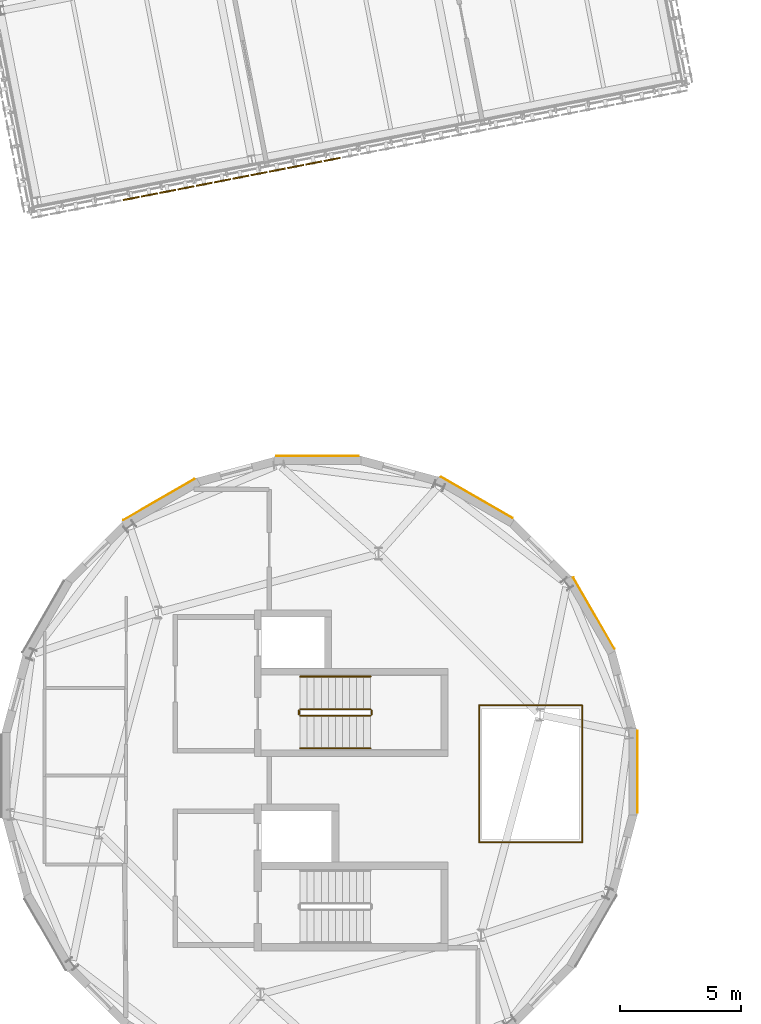
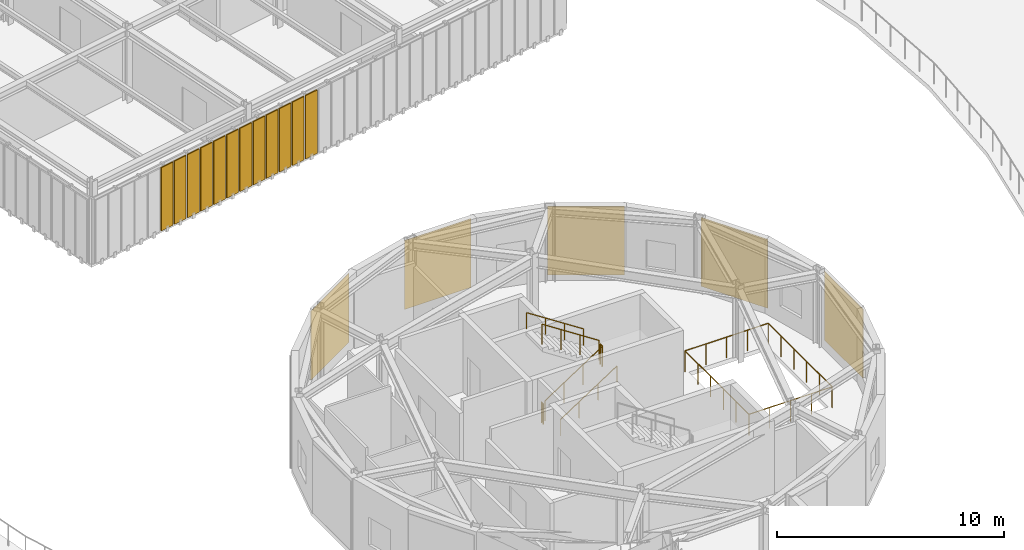
# One storey, part 51 of 59: 12 shading devices, 10 railings, 5 coverings.
"""IFC4 building model written with IfcOpenShell, lengths in metres."""

from ifc_helpers import new_model, si_unit, direction, frame, origin, origin_2d, place, context, subcontext, project, spatial, rectangle, circle, extrude, material, layer, layer_set, type_object, element, save


model = new_model("IFC4")

# Units and contexts
model_context = context("Model", 3, precision=1e-05, world=origin(), true_north=direction((0.0, 1.0)))
body_context = subcontext(model_context, "Body", "Model", "MODEL_VIEW")
ifc_project = project(units=[si_unit("LENGTHUNIT", "METRE"), si_unit("AREAUNIT", "SQUARE_METRE"), si_unit("VOLUMEUNIT", "CUBIC_METRE"), si_unit("PLANEANGLEUNIT", "RADIAN"), si_unit("MASSUNIT", "GRAM", prefix="KILO")], contexts=[model_context])

# Site, building, storey
site_placement = place(None, origin())
site = spatial("IfcSite", under=ifc_project, at=site_placement, CompositionType="ELEMENT")
building_placement = place(site_placement, origin())
building = spatial("IfcBuilding", under=site, at=building_placement, Name="Varnklinge Art Gallery", CompositionType="ELEMENT")
storey_placement = place(building_placement, frame((0.0, 0.0, 9.52001953125)))
storey = spatial("IfcBuildingStorey", under=building, at=storey_placement, Name="L02", CompositionType="ELEMENT", Elevation=9.52001953125)

# Railings
ifc_material_1 = material(Name="Anodised Aluminium", Category="aluminium")
railing_type_1 = type_object("IfcRailingType", Name="BAL-01", PredefinedType="BALUSTRADE", material=ifc_material_1)
railing_1_placement = place(storey_placement, frame((86.320068359375, 35.679931640625, 0.0)))
element("IfcRailing", 1, at=railing_1_placement, inside=storey, type_object=railing_type_1, Name="L02 Atrium Void Balustrade 6.1", PredefinedType="BALUSTRADE", context=body_context, shape_type="SweptSolid", body=[
    extrude(circle(Radius=0.02392578125, at=origin_2d()), frame((0.0, 0.0, 1.11572265625), z_axis=(0.0, 1.0, 0.0), x_axis=(-1.0, 0.0, 0.0)), (0.0, 0.0, 1.0), 5.64013671875),
    extrude(circle(Radius=0.02099609375, at=origin_2d()), origin(), (0.0, 0.0, 1.0), 1.091796875),
    extrude(circle(Radius=0.02099609375, at=origin_2d()), frame((0.0, 1.1279296875, 0.0)), (0.0, 0.0, 1.0), 1.091796875),
    extrude(circle(Radius=0.02099609375, at=origin_2d()), frame((0.0, 2.256103515625, 0.0)), (0.0, 0.0, 1.0), 1.091796875),
    extrude(circle(Radius=0.02099609375, at=origin_2d()), frame((0.0, 3.384033203125, 0.0)), (0.0, 0.0, 1.0), 1.091796875),
    extrude(circle(Radius=0.02099609375, at=origin_2d()), frame((0.0, 4.51220703125, 0.0)), (0.0, 0.0, 1.0), 1.091796875),
    extrude(circle(Radius=0.02099609375, at=origin_2d()), frame((0.0, 5.64013671875, 0.0)), (0.0, 0.0, 1.0), 1.091796875),
])
railing_2_placement = place(storey_placement, frame((86.320068359375, 41.320068359375, 0.0)))
element("IfcRailing", 2, at=railing_2_placement, inside=storey, type_object=railing_type_1, Name="L02 Atrium Void Balustrade 6.2", PredefinedType="BALUSTRADE", context=body_context, shape_type="SweptSolid", body=[
    extrude(circle(Radius=0.02392578125, at=origin_2d()), frame((0.0, 0.0, 1.11572265625), z_axis=(-1.0, 0.0, 0.0), x_axis=(0.0, -1.0, 0.0)), (0.0, 0.0, 1.0), 4.239990234375),
    extrude(circle(Radius=0.02099609375, at=origin_2d()), origin(), (0.0, 0.0, 1.0), 1.091796875),
    extrude(circle(Radius=0.02099609375, at=origin_2d()), frame((-1.06005859375, 0.0, 0.0)), (0.0, 0.0, 1.0), 1.091796875),
    extrude(circle(Radius=0.02099609375, at=origin_2d()), frame((-2.1201171875, 0.0, 0.0)), (0.0, 0.0, 1.0), 1.091796875),
    extrude(circle(Radius=0.02099609375, at=origin_2d()), frame((-3.179931640625, 0.0, 0.0)), (0.0, 0.0, 1.0), 1.091796875),
    extrude(circle(Radius=0.02099609375, at=origin_2d()), frame((-4.239990234375, 0.0, 0.0)), (0.0, 0.0, 1.0), 1.091796875),
])
railing_3_placement = place(storey_placement, frame((82.080078125, 41.320068359375, 0.0)))
element("IfcRailing", 3, at=railing_3_placement, inside=storey, type_object=railing_type_1, Name="L02 Atrium Void Balustrade 6.3", PredefinedType="BALUSTRADE", context=body_context, shape_type="SweptSolid", body=[
    extrude(circle(Radius=0.02392578125, at=origin_2d()), frame((0.0, 0.0, 1.11572265625), z_axis=(0.0, -1.0, 0.0), x_axis=(1.0, 0.0, 0.0)), (0.0, 0.0, 1.0), 5.64013671875),
    extrude(circle(Radius=0.02099609375, at=origin_2d()), origin(), (0.0, 0.0, 1.0), 1.091796875),
    extrude(circle(Radius=0.02099609375, at=origin_2d()), frame((0.0, -1.1279296875, 0.0)), (0.0, 0.0, 1.0), 1.091796875),
    extrude(circle(Radius=0.02099609375, at=origin_2d()), frame((0.0, -2.256103515625, 0.0)), (0.0, 0.0, 1.0), 1.091796875),
    extrude(circle(Radius=0.02099609375, at=origin_2d()), frame((0.0, -3.384033203125, 0.0)), (0.0, 0.0, 1.0), 1.091796875),
    extrude(circle(Radius=0.02099609375, at=origin_2d()), frame((0.0, -4.51220703125, 0.0)), (0.0, 0.0, 1.0), 1.091796875),
    extrude(circle(Radius=0.02099609375, at=origin_2d()), frame((0.0, -5.64013671875, 0.0)), (0.0, 0.0, 1.0), 1.091796875),
])
railing_4_placement = place(storey_placement, frame((82.080078125, 35.679931640625, 0.0)))
element("IfcRailing", 4, at=railing_4_placement, inside=storey, type_object=railing_type_1, Name="L02 Atrium Void Balustrade 6.4", PredefinedType="BALUSTRADE", context=body_context, shape_type="SweptSolid", body=[
    extrude(circle(Radius=0.02392578125, at=origin_2d()), frame((0.0, 0.0, 1.11572265625), z_axis=(1.0, 0.0, 0.0), x_axis=(0.0, 1.0, 0.0)), (0.0, 0.0, 1.0), 4.239990234375),
    extrude(circle(Radius=0.02099609375, at=origin_2d()), origin(), (0.0, 0.0, 1.0), 1.091796875),
    extrude(circle(Radius=0.02099609375, at=origin_2d()), frame((1.06005859375, 0.0, 0.0)), (0.0, 0.0, 1.0), 1.091796875),
    extrude(circle(Radius=0.02099609375, at=origin_2d()), frame((2.1201171875, 0.0, 0.0)), (0.0, 0.0, 1.0), 1.091796875),
    extrude(circle(Radius=0.02099609375, at=origin_2d()), frame((3.179931640625, 0.0, 0.0)), (0.0, 0.0, 1.0), 1.091796875),
    extrude(circle(Radius=0.02099609375, at=origin_2d()), frame((4.239990234375, 0.0, 0.0)), (0.0, 0.0, 1.0), 1.091796875),
])

# Coverings
ifc_material_2 = material(Name="Pre-weathered Zinc", Category="metal")
ifc_layer_1 = layer(ifc_material_2, 0.02490234375)
ifc_layer_set_1 = layer_set([ifc_layer_1], Name="Pre-weathered Zinc")
covering_type = type_object("IfcCoveringType", Name="CLD-ZNC", PredefinedType="CLADDING", material=ifc_layer_set_1)
for number, where, z_axis, x_axis, name in (
    (5, (88.599609375, 38.5849609375, 0.0458984375), (0.0, 0.0, 1.0), (0.0, -1.0, 0.0), "L02 Brushed Zinc Drum Cladding EW-V4D-L02-01"),
    (6, (68.876708984375, 49.802001953125, 0.0458984375), (0.0, 0.0, 1.0), (0.866025403784, 0.5, 0.0), "L02 Brushed Zinc Drum Cladding EW-V4D-L02-16"),
    (7, (75.4150390625, 51.599609375, 0.0458984375), (0.0, 0.0, 1.0), (1.0, 0.0, 0.0), "L02 Brushed Zinc Drum Cladding EW-V4D-L02-18"),
    (8, (81.976318359375, 49.88720703125, 0.0458984375), (0.0, 0.0, 1.0), (0.866025403784, -0.5, 0.0), "L02 Brushed Zinc Drum Cladding EW-V4D-L02-20"),
    (9, (86.802001953125, 45.123291015625, 0.0458984375), (0.0, 0.0, 1.0), (0.5, -0.866025403784, 0.0), "L02 Brushed Zinc Drum Cladding EW-V4D-L02-22"),
):
    element("IfcCovering", number, at=place(storey_placement, frame(where, z_axis=z_axis, x_axis=x_axis)), inside=storey, type_object=covering_type, Name=name, PredefinedType="CLADDING", context=body_context, shape_type="SweptSolid", body=[
        extrude(rectangle(XDim=3.39111328125, YDim=0.02490234375, at=origin_2d()), origin(), (0.0, 0.0, 1.0), 3.7099609375),
    ])

# Railings
ifc_material_3 = material(Name="Steel S355", Category="steel")
railing_type_2 = type_object("IfcRailingType", Name="GR-INT", PredefinedType="GUARDRAIL", material=ifc_material_3)
railing_5_placement = place(storey_placement, frame((74.699951171875, 40.89990234375, 0.18896484375)))
element("IfcRailing", 10, at=railing_5_placement, inside=storey, type_object=railing_type_2, Name="L02 ST-02 stair guard 1", PredefinedType="GUARDRAIL", context=body_context, shape_type="SweptSolid", body=[
    extrude(circle(Radius=0.02392578125, at=origin_2d()), frame((0.0, 0.0, 1.076171875), z_axis=(0.837648470955, 0.0, 0.546209702502), x_axis=(0.0, 1.0, 0.0)), (0.0, 0.0, 1.0), 3.462158203125),
    extrude(circle(Radius=0.02099609375, at=origin_2d()), origin(), (0.0, 0.0, 1.0), 1.052001953125),
    extrude(circle(Radius=0.02099609375, at=origin_2d()), frame((0.966796875, 0.0, 0.63037109375)), (0.0, 0.0, 1.0), 1.052001953125),
    extrude(circle(Radius=0.02099609375, at=origin_2d()), frame((1.933349609375, 0.0, 1.2607421875)), (0.0, 0.0, 1.0), 1.052001953125),
    extrude(circle(Radius=0.02099609375, at=origin_2d()), frame((2.900146484375, 0.0, 1.89111328125)), (0.0, 0.0, 1.0), 1.052001953125),
])
railing_6_placement = place(storey_placement, frame((77.64990234375, 40.949951171875, 2.080078125)))
element("IfcRailing", 11, at=railing_6_placement, inside=storey, type_object=railing_type_2, Name="L02 ST-02 stair guard 2", PredefinedType="GUARDRAIL", context=body_context, shape_type="SweptSolid", body=[
    extrude(circle(Radius=0.02392578125, at=origin_2d()), frame((0.0, 0.0, 1.076171875), z_axis=(0.0, 1.0, 0.0), x_axis=(-1.0, 0.0, 0.0)), (0.0, 0.0, 1.0), 0.16015625),
    extrude(circle(Radius=0.02099609375, at=origin_2d()), origin(), (0.0, 0.0, 1.0), 1.052001953125),
    extrude(circle(Radius=0.02099609375, at=origin_2d()), frame((0.0, 0.16015625, 0.0)), (0.0, 0.0, 1.0), 1.052001953125),
])
railing_7_placement = place(storey_placement, frame((77.60009765625, 41.159912109375, 2.26904296875)))
element("IfcRailing", 12, at=railing_7_placement, inside=storey, type_object=railing_type_2, Name="L02 ST-02 stair guard 3", PredefinedType="GUARDRAIL", context=body_context, shape_type="SweptSolid", body=[
    extrude(circle(Radius=0.02392578125, at=origin_2d()), frame((0.0, 0.0, 1.076171875), z_axis=(-0.837680733616, 0.0, 0.546160222397), x_axis=(0.0, -1.0, 0.0)), (0.0, 0.0, 1.0), 3.462158203125),
    extrude(circle(Radius=0.02099609375, at=origin_2d()), origin(), (0.0, 0.0, 1.0), 1.052001953125),
    extrude(circle(Radius=0.02099609375, at=origin_2d()), frame((-0.966796875, 0.0, 0.63037109375)), (0.0, 0.0, 1.0), 1.052001953125),
    extrude(circle(Radius=0.02099609375, at=origin_2d()), frame((-1.933349609375, 0.0, 1.260498046875)), (0.0, 0.0, 1.0), 1.052001953125),
    extrude(circle(Radius=0.02099609375, at=origin_2d()), frame((-2.900146484375, 0.0, 1.890869140625)), (0.0, 0.0, 1.0), 1.052001953125),
])
railing_8_placement = place(storey_placement, frame((74.64990234375, 40.949951171875, 0.0)))
element("IfcRailing", 13, at=railing_8_placement, inside=storey, type_object=railing_type_2, Name="L02 ST-02 stair guard 4", PredefinedType="GUARDRAIL", context=body_context, shape_type="SweptSolid", body=[
    extrude(circle(Radius=0.02392578125, at=origin_2d()), frame((0.0, 0.0, 1.076171875), z_axis=(0.0, 1.0, 0.0), x_axis=(-1.0, 0.0, 0.0)), (0.0, 0.0, 1.0), 0.16015625),
    extrude(circle(Radius=0.02099609375, at=origin_2d()), origin(), (0.0, 0.0, 1.0), 1.052001953125),
    extrude(circle(Radius=0.02099609375, at=origin_2d()), frame((0.0, 0.16015625, 0.0)), (0.0, 0.0, 1.0), 1.052001953125),
])
ifc_material_4 = material(Name="Steel S355", Category="steel")
railing_type_3 = type_object("IfcRailingType", Name="HR-01", PredefinedType="HANDRAIL", material=ifc_material_4)
railing_9_placement = place(storey_placement, frame((74.699951171875, 39.550048828125, 0.18896484375)))
element("IfcRailing", 14, at=railing_9_placement, inside=storey, type_object=railing_type_3, Name="L02 ST-02 stair handrail 1", PredefinedType="HANDRAIL", context=body_context, shape_type="SweptSolid", body=[
    extrude(circle(Radius=0.02392578125, at=origin_2d()), frame((0.0, 0.0, 0.8759765625), z_axis=(0.837648470955, 0.0, 0.546209702502), x_axis=(0.0, 1.0, 0.0)), (0.0, 0.0, 1.0), 3.462158203125),
    extrude(circle(Radius=0.02099609375, at=origin_2d()), origin(), (0.0, 0.0, 1.0), 0.851806640625),
    extrude(circle(Radius=0.02099609375, at=origin_2d()), frame((0.966796875, 0.0, 0.63037109375)), (0.0, 0.0, 1.0), 0.851806640625),
    extrude(circle(Radius=0.02099609375, at=origin_2d()), frame((1.933349609375, 0.0, 1.2607421875)), (0.0, 0.0, 1.0), 0.851806640625),
    extrude(circle(Radius=0.02099609375, at=origin_2d()), frame((2.900146484375, 0.0, 1.89111328125)), (0.0, 0.0, 1.0), 0.851806640625),
])
railing_10_placement = place(storey_placement, frame((77.60009765625, 42.510009765625, 2.26904296875)))
element("IfcRailing", 15, at=railing_10_placement, inside=storey, type_object=railing_type_3, Name="L02 ST-02 stair handrail 2", PredefinedType="HANDRAIL", context=body_context, shape_type="SweptSolid", body=[
    extrude(circle(Radius=0.02392578125, at=origin_2d()), frame((0.0, 0.0, 0.8759765625), z_axis=(-0.837680733616, 0.0, 0.546160222397), x_axis=(0.0, -1.0, 0.0)), (0.0, 0.0, 1.0), 3.462158203125),
    extrude(circle(Radius=0.02099609375, at=origin_2d()), origin(), (0.0, 0.0, 1.0), 0.851806640625),
    extrude(circle(Radius=0.02099609375, at=origin_2d()), frame((-0.966796875, 0.0, 0.63037109375)), (0.0, 0.0, 1.0), 0.851806640625),
    extrude(circle(Radius=0.02099609375, at=origin_2d()), frame((-1.933349609375, 0.0, 1.260498046875)), (0.0, 0.0, 1.0), 0.851806640625),
    extrude(circle(Radius=0.02099609375, at=origin_2d()), frame((-2.900146484375, 0.0, 1.890869140625)), (0.0, 0.0, 1.0), 0.851806640625),
])

# Shading devices
ifc_material_5 = material(Name="Perforated Aluminium-Precast Lattice", Category="concrete")
ifc_layer_2 = layer(ifc_material_5, 0.06005859375)
ifc_layer_set_2 = layer_set([ifc_layer_2], Name="Perforated Aluminium-Precast Lattice")
shading_device_type = type_object("IfcShadingDeviceType", Name="SHD-LAT", PredefinedType="USERDEFINED", material=ifc_layer_set_2)
for number, where, z_axis, x_axis, name in (
    (16, (67.737548828125, 62.209716796875, 0.10009765625), (0.0, 0.0, 1.0), (0.981627183448, 0.190808995377, 0.0), "L02 Perforated Lattice Screen 1.1.6"),
    (17, (68.489990234375, 62.356201171875, 0.10009765625), (0.0, 0.0, 1.0), (0.981627183448, 0.190808995377, 0.0), "L02 Perforated Lattice Screen 1.1.7"),
    (18, (69.24267578125, 62.50244140625, 0.10009765625), (0.0, 0.0, 1.0), (0.981627183448, 0.190808995377, 0.0), "L02 Perforated Lattice Screen 1.1.8"),
    (19, (69.9951171875, 62.648681640625, 0.10009765625), (0.0, 0.0, 1.0), (0.981627183448, 0.190808995377, 0.0), "L02 Perforated Lattice Screen 1.1.9"),
    (20, (70.747802734375, 62.794921875, 0.10009765625), (0.0, 0.0, 1.0), (0.981627183448, 0.190808995377, 0.0), "L02 Perforated Lattice Screen 1.2.1"),
    (21, (71.50048828125, 62.941162109375, 0.10009765625), (0.0, 0.0, 1.0), (0.981627183448, 0.190808995377, 0.0), "L02 Perforated Lattice Screen 1.2.2"),
    (22, (72.2529296875, 63.08740234375, 0.10009765625), (0.0, 0.0, 1.0), (0.981627183448, 0.190808995377, 0.0), "L02 Perforated Lattice Screen 1.2.3"),
    (23, (73.005615234375, 63.23388671875, 0.10009765625), (0.0, 0.0, 1.0), (0.981627183448, 0.190808995377, 0.0), "L02 Perforated Lattice Screen 1.2.4"),
    (24, (73.75830078125, 63.380126953125, 0.10009765625), (0.0, 0.0, 1.0), (0.981627183448, 0.190808995377, 0.0), "L02 Perforated Lattice Screen 1.2.5"),
    (25, (74.5107421875, 63.5263671875, 0.10009765625), (0.0, 0.0, 1.0), (0.981627183448, 0.190808995377, 0.0), "L02 Perforated Lattice Screen 1.2.6"),
    (26, (75.26318359375, 63.672607421875, 0.10009765625), (0.0, 0.0, 1.0), (0.981627183448, 0.190808995377, 0.0), "L02 Perforated Lattice Screen 1.2.7"),
    (27, (76.015869140625, 63.819091796875, 0.10009765625), (0.0, 0.0, 1.0), (0.981627183448, 0.190808995377, 0.0), "L02 Perforated Lattice Screen 1.2.8"),
):
    element("IfcShadingDevice", number, at=place(storey_placement, frame(where, z_axis=z_axis, x_axis=x_axis)), inside=storey, type_object=shading_device_type, Name=name, ObjectType="LATTICE SCREEN", PredefinedType="USERDEFINED", context=body_context, shape_type="SweptSolid", body=[
        extrude(rectangle(XDim=0.679931640625, YDim=0.06005859375, at=origin_2d()), origin(), (0.0, 0.0, 1.0), 3.409912109375),
    ])

save(model, "model.ifc")
